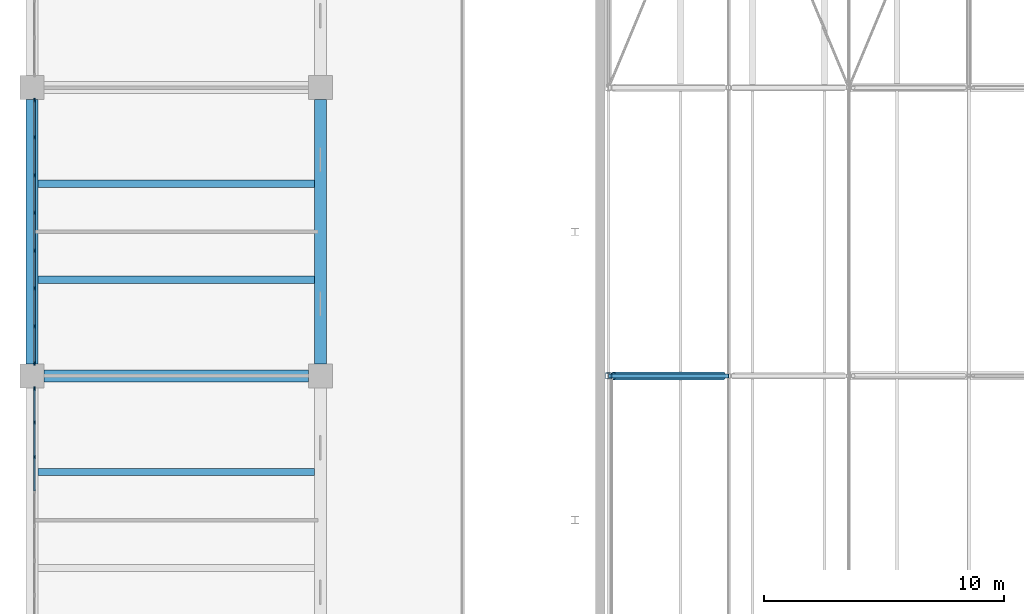
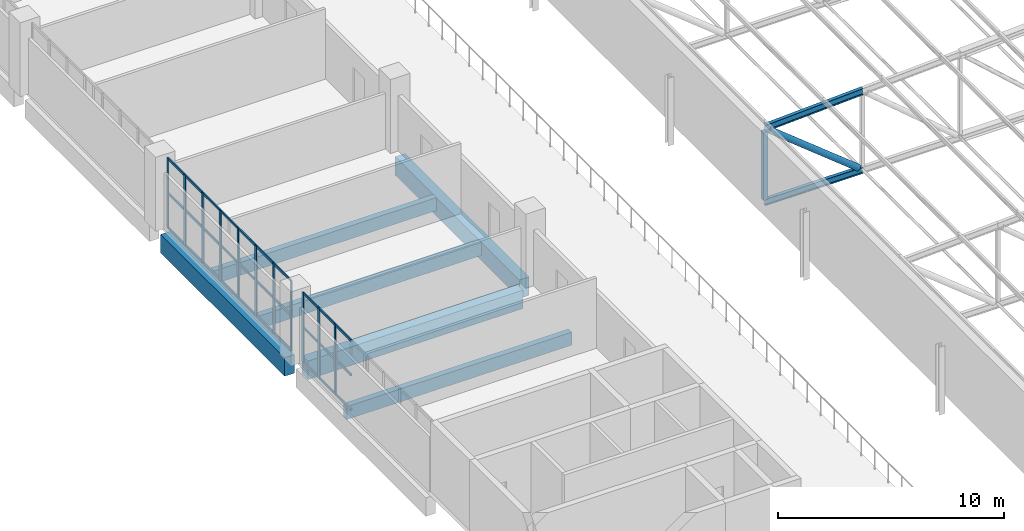
# One storey, part 52 of 156: 45 members, 6 beams, 2 elements without a shape of their own.
"""IFC4 building model written with IfcOpenShell, lengths in metres."""

from ifc_helpers import new_model, si_unit, direction, frame, origin, origin_2d, place, context, subcontext, project, spatial, rectangle, hollow_rectangle, hollow_circle, i_section, extrude, material, layer, layer_set, material_profile, profile_set, type_object, element, aggregate, save


model = new_model("IFC4")

# Units and contexts
model_context = context("Model", 3, precision=1e-05, world=origin(), true_north=direction((0.0, 1.0)))
body_context = subcontext(model_context, "Body", "Model", "MODEL_VIEW")
ifc_project = project(units=[si_unit("LENGTHUNIT", "METRE"), si_unit("AREAUNIT", "SQUARE_METRE"), si_unit("VOLUMEUNIT", "CUBIC_METRE"), si_unit("PLANEANGLEUNIT", "RADIAN"), si_unit("MASSUNIT", "GRAM", prefix="KILO")], contexts=[model_context])

# Site, building, storey
site_placement = place(None, origin())
site = spatial("IfcSite", under=ifc_project, at=site_placement, CompositionType="ELEMENT")
building_placement = place(site_placement, origin())
building = spatial("IfcBuilding", under=site, at=building_placement, Name="Lilac Gate Convention Centre", CompositionType="ELEMENT")
storey_placement = place(building_placement, frame((0.0, 0.0, 17.0)))
storey = spatial("IfcBuildingStorey", under=building, at=storey_placement, Name="L03", CompositionType="ELEMENT", Elevation=17.0)

# Curtain wall, members
ifc_material_1 = material(Name="Aluminium framed double glazing", Category="aluminium")
ifc_layer = layer(ifc_material_1, 0.199951171875)
ifc_layer_set = layer_set([ifc_layer], Name="Aluminium framed double glazing")
curtain_wall_type = type_object("IfcCurtainWallType", Name="Unitised curtain wall 1500", PredefinedType="NOTDEFINED", material=ifc_layer_set)
curtain_wall_1_placement = place(storey_placement, origin())
curtain_wall_1 = element("IfcCurtainWall", 1, at=curtain_wall_1_placement, inside=storey, type_object=curtain_wall_type, Name="Curtain wall PW L03 7", PredefinedType="NOTDEFINED")
ifc_material_2 = material(Name="Aluminium alloy 6063", Category="aluminium")
ifc_material_profile_1 = material_profile(ifc_material_2, rectangle(XDim=0.06005859375, YDim=0.159912109375, at=origin_2d()), Name="Curtain wall mullion 60 x 160")
ifc_profile_set_1 = profile_set([ifc_material_profile_1], Name="Aluminium alloy 6063")
member_type_1 = type_object("IfcMemberType", Name="Curtain wall mullion 60 x 160", PredefinedType="MULLION", material=ifc_profile_set_1)
member_1_placement = place(storey_placement, frame((6.10009765625, 125.469970703125, 0.0), z_axis=(0.0, 0.0, 1.0), x_axis=(1.0, 0.0, 0.0)))
member_1 = element("IfcMember", 2, at=member_1_placement, type_object=member_type_1, Name="CW mullion 1", PredefinedType="MULLION", context=body_context, shape_type="SweptSolid", body=[
    extrude(rectangle(XDim=0.06005859375, YDim=0.159912109375, at=origin_2d()), origin(), (0.0, 0.0, 1.0), 3.800048828125),
])
member_2_placement = place(storey_placement, frame((6.10009765625, 123.928466796875, 0.0), z_axis=(0.0, 0.0, 1.0), x_axis=(1.0, 0.0, 0.0)))
member_2 = element("IfcMember", 3, at=member_2_placement, type_object=member_type_1, Name="CW mullion 2", PredefinedType="MULLION", context=body_context, shape_type="SweptSolid", body=[
    extrude(rectangle(XDim=0.06005859375, YDim=0.159912109375, at=origin_2d()), origin(), (0.0, 0.0, 1.0), 3.800048828125),
])
member_3_placement = place(storey_placement, frame((6.10009765625, 122.357177734375, 0.0), z_axis=(0.0, 0.0, 1.0), x_axis=(1.0, 0.0, 0.0)))
member_3 = element("IfcMember", 4, at=member_3_placement, type_object=member_type_1, Name="CW mullion 3", PredefinedType="MULLION", context=body_context, shape_type="SweptSolid", body=[
    extrude(rectangle(XDim=0.06005859375, YDim=0.159912109375, at=origin_2d()), origin(), (0.0, 0.0, 1.0), 3.800048828125),
])
member_4_placement = place(storey_placement, frame((6.10009765625, 120.78564453125, 0.0), z_axis=(0.0, 0.0, 1.0), x_axis=(1.0, 0.0, 0.0)))
member_4 = element("IfcMember", 5, at=member_4_placement, type_object=member_type_1, Name="CW mullion 4", PredefinedType="MULLION", context=body_context, shape_type="SweptSolid", body=[
    extrude(rectangle(XDim=0.06005859375, YDim=0.159912109375, at=origin_2d()), origin(), (0.0, 0.0, 1.0), 3.800048828125),
])
member_5_placement = place(storey_placement, frame((6.10009765625, 119.21435546875, 0.0), z_axis=(0.0, 0.0, 1.0), x_axis=(1.0, 0.0, 0.0)))
member_5 = element("IfcMember", 6, at=member_5_placement, type_object=member_type_1, Name="CW mullion 5", PredefinedType="MULLION", context=body_context, shape_type="SweptSolid", body=[
    extrude(rectangle(XDim=0.06005859375, YDim=0.159912109375, at=origin_2d()), origin(), (0.0, 0.0, 1.0), 3.800048828125),
])
member_6_placement = place(storey_placement, frame((6.10009765625, 117.642822265625, 0.0), z_axis=(0.0, 0.0, 1.0), x_axis=(1.0, 0.0, 0.0)))
member_6 = element("IfcMember", 7, at=member_6_placement, type_object=member_type_1, Name="CW mullion 6", PredefinedType="MULLION", context=body_context, shape_type="SweptSolid", body=[
    extrude(rectangle(XDim=0.06005859375, YDim=0.159912109375, at=origin_2d()), origin(), (0.0, 0.0, 1.0), 3.800048828125),
])
member_7_placement = place(storey_placement, frame((6.10009765625, 116.071533203125, 0.0), z_axis=(0.0, 0.0, 1.0), x_axis=(1.0, 0.0, 0.0)))
member_7 = element("IfcMember", 8, at=member_7_placement, type_object=member_type_1, Name="CW mullion 7", PredefinedType="MULLION", context=body_context, shape_type="SweptSolid", body=[
    extrude(rectangle(XDim=0.06005859375, YDim=0.159912109375, at=origin_2d()), origin(), (0.0, 0.0, 1.0), 3.800048828125),
])
member_8_placement = place(storey_placement, frame((6.10009765625, 114.530029296875, 0.0), z_axis=(0.0, 0.0, 1.0), x_axis=(1.0, 0.0, 0.0)))
member_8 = element("IfcMember", 9, at=member_8_placement, type_object=member_type_1, Name="CW mullion 8", PredefinedType="MULLION", context=body_context, shape_type="SweptSolid", body=[
    extrude(rectangle(XDim=0.06005859375, YDim=0.159912109375, at=origin_2d()), origin(), (0.0, 0.0, 1.0), 3.800048828125),
])

curtain_wall_2_placement = place(storey_placement, origin())
curtain_wall_2 = element("IfcCurtainWall", 10, at=curtain_wall_2_placement, inside=storey, type_object=curtain_wall_type, Name="Curtain wall PW L03 8", PredefinedType="NOTDEFINED")
member_9_placement = place(storey_placement, frame((6.10009765625, 113.469970703125, 0.0), z_axis=(0.0, 0.0, 1.0), x_axis=(1.0, 0.0, 0.0)))
member_9 = element("IfcMember", 11, at=member_9_placement, type_object=member_type_1, Name="CW mullion 1", PredefinedType="MULLION", context=body_context, shape_type="SweptSolid", body=[
    extrude(rectangle(XDim=0.06005859375, YDim=0.159912109375, at=origin_2d()), origin(), (0.0, 0.0, 1.0), 3.800048828125),
])
member_10_placement = place(storey_placement, frame((6.10009765625, 112.0625, 0.0), z_axis=(0.0, 0.0, 1.0), x_axis=(1.0, 0.0, 0.0)))
member_10 = element("IfcMember", 12, at=member_10_placement, type_object=member_type_1, Name="CW mullion 2", PredefinedType="MULLION", context=body_context, shape_type="SweptSolid", body=[
    extrude(rectangle(XDim=0.06005859375, YDim=0.159912109375, at=origin_2d()), origin(), (0.0, 0.0, 1.0), 3.800048828125),
])
member_11_placement = place(storey_placement, frame((6.10009765625, 110.625, 0.0), z_axis=(0.0, 0.0, 1.0), x_axis=(1.0, 0.0, 0.0)))
member_11 = element("IfcMember", 13, at=member_11_placement, type_object=member_type_1, Name="CW mullion 3", PredefinedType="MULLION", context=body_context, shape_type="SweptSolid", body=[
    extrude(rectangle(XDim=0.06005859375, YDim=0.159912109375, at=origin_2d()), origin(), (0.0, 0.0, 1.0), 3.800048828125),
])

# Member
ifc_material_profile_2 = material_profile(ifc_material_2, rectangle(XDim=0.06005859375, YDim=0.1201171875, at=origin_2d()), Name="Curtain wall transom 60 x 120")
ifc_profile_set_2 = profile_set([ifc_material_profile_2], Name="Aluminium alloy 6063")
member_type_2 = type_object("IfcMemberType", Name="Curtain wall transom 60 x 120", PredefinedType="USERDEFINED", material=ifc_profile_set_2)
member_12_placement = place(storey_placement, frame((6.10009765625, 125.43994140625, 0.030029296875), z_axis=(0.0, -1.0, 0.0), x_axis=(1.0, 0.0, 0.0)))
member_12 = element("IfcMember", 14, at=member_12_placement, type_object=member_type_2, Name="CW transom 1.1", ObjectType="TRANSOM", PredefinedType="USERDEFINED", context=body_context, shape_type="SweptSolid", body=[
    extrude(rectangle(XDim=0.06005859375, YDim=0.1201171875, at=origin_2d()), origin(), (0.0, 0.0, 1.0), 1.4814453125),
])

member_13_placement = place(storey_placement, frame((6.10009765625, 125.43994140625, 1.89990234375), z_axis=(0.0, -1.0, 0.0), x_axis=(1.0, 0.0, 0.0)))
member_13 = element("IfcMember", 15, at=member_13_placement, type_object=member_type_2, Name="CW transom 1.2", ObjectType="TRANSOM", PredefinedType="USERDEFINED", context=body_context, shape_type="SweptSolid", body=[
    extrude(rectangle(XDim=0.06005859375, YDim=0.1201171875, at=origin_2d()), origin(), (0.0, 0.0, 1.0), 1.4814453125),
])

member_14_placement = place(storey_placement, frame((6.10009765625, 125.43994140625, 3.77001953125), z_axis=(0.0, -1.0, 0.0), x_axis=(1.0, 0.0, 0.0)))
member_14 = element("IfcMember", 16, at=member_14_placement, type_object=member_type_2, Name="CW transom 1.3", ObjectType="TRANSOM", PredefinedType="USERDEFINED", context=body_context, shape_type="SweptSolid", body=[
    extrude(rectangle(XDim=0.06005859375, YDim=0.1201171875, at=origin_2d()), origin(), (0.0, 0.0, 1.0), 1.4814453125),
])

member_15_placement = place(storey_placement, frame((6.10009765625, 123.898681640625, 0.030029296875), z_axis=(0.0, -1.0, 0.0), x_axis=(1.0, 0.0, 0.0)))
member_15 = element("IfcMember", 17, at=member_15_placement, type_object=member_type_2, Name="CW transom 2.1", ObjectType="TRANSOM", PredefinedType="USERDEFINED", context=body_context, shape_type="SweptSolid", body=[
    extrude(rectangle(XDim=0.06005859375, YDim=0.1201171875, at=origin_2d()), origin(), (0.0, 0.0, 1.0), 1.511474609375),
])

member_16_placement = place(storey_placement, frame((6.10009765625, 123.898681640625, 1.89990234375), z_axis=(0.0, -1.0, 0.0), x_axis=(1.0, 0.0, 0.0)))
member_16 = element("IfcMember", 18, at=member_16_placement, type_object=member_type_2, Name="CW transom 2.2", ObjectType="TRANSOM", PredefinedType="USERDEFINED", context=body_context, shape_type="SweptSolid", body=[
    extrude(rectangle(XDim=0.06005859375, YDim=0.1201171875, at=origin_2d()), origin(), (0.0, 0.0, 1.0), 1.511474609375),
])

member_17_placement = place(storey_placement, frame((6.10009765625, 123.898681640625, 3.77001953125), z_axis=(0.0, -1.0, 0.0), x_axis=(1.0, 0.0, 0.0)))
member_17 = element("IfcMember", 19, at=member_17_placement, type_object=member_type_2, Name="CW transom 2.3", ObjectType="TRANSOM", PredefinedType="USERDEFINED", context=body_context, shape_type="SweptSolid", body=[
    extrude(rectangle(XDim=0.06005859375, YDim=0.1201171875, at=origin_2d()), origin(), (0.0, 0.0, 1.0), 1.511474609375),
])

member_18_placement = place(storey_placement, frame((6.10009765625, 122.3271484375, 0.030029296875), z_axis=(0.0, -1.0, 0.0), x_axis=(1.0, 0.0, 0.0)))
member_18 = element("IfcMember", 20, at=member_18_placement, type_object=member_type_2, Name="CW transom 3.1", ObjectType="TRANSOM", PredefinedType="USERDEFINED", context=body_context, shape_type="SweptSolid", body=[
    extrude(rectangle(XDim=0.06005859375, YDim=0.1201171875, at=origin_2d()), origin(), (0.0, 0.0, 1.0), 1.511474609375),
])

member_19_placement = place(storey_placement, frame((6.10009765625, 122.3271484375, 1.89990234375), z_axis=(0.0, -1.0, 0.0), x_axis=(1.0, 0.0, 0.0)))
member_19 = element("IfcMember", 21, at=member_19_placement, type_object=member_type_2, Name="CW transom 3.2", ObjectType="TRANSOM", PredefinedType="USERDEFINED", context=body_context, shape_type="SweptSolid", body=[
    extrude(rectangle(XDim=0.06005859375, YDim=0.1201171875, at=origin_2d()), origin(), (0.0, 0.0, 1.0), 1.511474609375),
])

member_20_placement = place(storey_placement, frame((6.10009765625, 122.3271484375, 3.77001953125), z_axis=(0.0, -1.0, 0.0), x_axis=(1.0, 0.0, 0.0)))
member_20 = element("IfcMember", 22, at=member_20_placement, type_object=member_type_2, Name="CW transom 3.3", ObjectType="TRANSOM", PredefinedType="USERDEFINED", context=body_context, shape_type="SweptSolid", body=[
    extrude(rectangle(XDim=0.06005859375, YDim=0.1201171875, at=origin_2d()), origin(), (0.0, 0.0, 1.0), 1.511474609375),
])

member_21_placement = place(storey_placement, frame((6.10009765625, 120.755615234375, 0.030029296875), z_axis=(0.0, -1.0, 0.0), x_axis=(1.0, 0.0, 0.0)))
member_21 = element("IfcMember", 23, at=member_21_placement, type_object=member_type_2, Name="CW transom 4.1", ObjectType="TRANSOM", PredefinedType="USERDEFINED", context=body_context, shape_type="SweptSolid", body=[
    extrude(rectangle(XDim=0.06005859375, YDim=0.1201171875, at=origin_2d()), origin(), (0.0, 0.0, 1.0), 1.51123046875),
])

member_22_placement = place(storey_placement, frame((6.10009765625, 120.755615234375, 1.89990234375), z_axis=(0.0, -1.0, 0.0), x_axis=(1.0, 0.0, 0.0)))
member_22 = element("IfcMember", 24, at=member_22_placement, type_object=member_type_2, Name="CW transom 4.2", ObjectType="TRANSOM", PredefinedType="USERDEFINED", context=body_context, shape_type="SweptSolid", body=[
    extrude(rectangle(XDim=0.06005859375, YDim=0.1201171875, at=origin_2d()), origin(), (0.0, 0.0, 1.0), 1.51123046875),
])

member_23_placement = place(storey_placement, frame((6.10009765625, 120.755615234375, 3.77001953125), z_axis=(0.0, -1.0, 0.0), x_axis=(1.0, 0.0, 0.0)))
member_23 = element("IfcMember", 25, at=member_23_placement, type_object=member_type_2, Name="CW transom 4.3", ObjectType="TRANSOM", PredefinedType="USERDEFINED", context=body_context, shape_type="SweptSolid", body=[
    extrude(rectangle(XDim=0.06005859375, YDim=0.1201171875, at=origin_2d()), origin(), (0.0, 0.0, 1.0), 1.51123046875),
])

member_24_placement = place(storey_placement, frame((6.10009765625, 119.184326171875, 0.030029296875), z_axis=(0.0, -1.0, 0.0), x_axis=(1.0, 0.0, 0.0)))
member_24 = element("IfcMember", 26, at=member_24_placement, type_object=member_type_2, Name="CW transom 5.1", ObjectType="TRANSOM", PredefinedType="USERDEFINED", context=body_context, shape_type="SweptSolid", body=[
    extrude(rectangle(XDim=0.06005859375, YDim=0.1201171875, at=origin_2d()), origin(), (0.0, 0.0, 1.0), 1.511474609375),
])

member_25_placement = place(storey_placement, frame((6.10009765625, 119.184326171875, 1.89990234375), z_axis=(0.0, -1.0, 0.0), x_axis=(1.0, 0.0, 0.0)))
member_25 = element("IfcMember", 27, at=member_25_placement, type_object=member_type_2, Name="CW transom 5.2", ObjectType="TRANSOM", PredefinedType="USERDEFINED", context=body_context, shape_type="SweptSolid", body=[
    extrude(rectangle(XDim=0.06005859375, YDim=0.1201171875, at=origin_2d()), origin(), (0.0, 0.0, 1.0), 1.511474609375),
])

member_26_placement = place(storey_placement, frame((6.10009765625, 119.184326171875, 3.77001953125), z_axis=(0.0, -1.0, 0.0), x_axis=(1.0, 0.0, 0.0)))
member_26 = element("IfcMember", 28, at=member_26_placement, type_object=member_type_2, Name="CW transom 5.3", ObjectType="TRANSOM", PredefinedType="USERDEFINED", context=body_context, shape_type="SweptSolid", body=[
    extrude(rectangle(XDim=0.06005859375, YDim=0.1201171875, at=origin_2d()), origin(), (0.0, 0.0, 1.0), 1.511474609375),
])

member_27_placement = place(storey_placement, frame((6.10009765625, 117.61279296875, 0.030029296875), z_axis=(0.0, -1.0, 0.0), x_axis=(1.0, 0.0, 0.0)))
member_27 = element("IfcMember", 29, at=member_27_placement, type_object=member_type_2, Name="CW transom 6.1", ObjectType="TRANSOM", PredefinedType="USERDEFINED", context=body_context, shape_type="SweptSolid", body=[
    extrude(rectangle(XDim=0.06005859375, YDim=0.1201171875, at=origin_2d()), origin(), (0.0, 0.0, 1.0), 1.511474609375),
])

member_28_placement = place(storey_placement, frame((6.10009765625, 117.61279296875, 1.89990234375), z_axis=(0.0, -1.0, 0.0), x_axis=(1.0, 0.0, 0.0)))
member_28 = element("IfcMember", 30, at=member_28_placement, type_object=member_type_2, Name="CW transom 6.2", ObjectType="TRANSOM", PredefinedType="USERDEFINED", context=body_context, shape_type="SweptSolid", body=[
    extrude(rectangle(XDim=0.06005859375, YDim=0.1201171875, at=origin_2d()), origin(), (0.0, 0.0, 1.0), 1.511474609375),
])

member_29_placement = place(storey_placement, frame((6.10009765625, 117.61279296875, 3.77001953125), z_axis=(0.0, -1.0, 0.0), x_axis=(1.0, 0.0, 0.0)))
member_29 = element("IfcMember", 31, at=member_29_placement, type_object=member_type_2, Name="CW transom 6.3", ObjectType="TRANSOM", PredefinedType="USERDEFINED", context=body_context, shape_type="SweptSolid", body=[
    extrude(rectangle(XDim=0.06005859375, YDim=0.1201171875, at=origin_2d()), origin(), (0.0, 0.0, 1.0), 1.511474609375),
])

member_30_placement = place(storey_placement, frame((6.10009765625, 116.04150390625, 0.030029296875), z_axis=(0.0, -1.0, 0.0), x_axis=(1.0, 0.0, 0.0)))
member_30 = element("IfcMember", 32, at=member_30_placement, type_object=member_type_2, Name="CW transom 7.1", ObjectType="TRANSOM", PredefinedType="USERDEFINED", context=body_context, shape_type="SweptSolid", body=[
    extrude(rectangle(XDim=0.06005859375, YDim=0.1201171875, at=origin_2d()), origin(), (0.0, 0.0, 1.0), 1.4814453125),
])

member_31_placement = place(storey_placement, frame((6.10009765625, 116.04150390625, 1.89990234375), z_axis=(0.0, -1.0, 0.0), x_axis=(1.0, 0.0, 0.0)))
member_31 = element("IfcMember", 33, at=member_31_placement, type_object=member_type_2, Name="CW transom 7.2", ObjectType="TRANSOM", PredefinedType="USERDEFINED", context=body_context, shape_type="SweptSolid", body=[
    extrude(rectangle(XDim=0.06005859375, YDim=0.1201171875, at=origin_2d()), origin(), (0.0, 0.0, 1.0), 1.4814453125),
])

member_32_placement = place(storey_placement, frame((6.10009765625, 116.04150390625, 3.77001953125), z_axis=(0.0, -1.0, 0.0), x_axis=(1.0, 0.0, 0.0)))
member_32 = element("IfcMember", 34, at=member_32_placement, type_object=member_type_2, Name="CW transom 7.3", ObjectType="TRANSOM", PredefinedType="USERDEFINED", context=body_context, shape_type="SweptSolid", body=[
    extrude(rectangle(XDim=0.06005859375, YDim=0.1201171875, at=origin_2d()), origin(), (0.0, 0.0, 1.0), 1.4814453125),
])

aggregate(curtain_wall_1, [member_1, member_2, member_3, member_4, member_5, member_6, member_7, member_8, member_12, member_13, member_14, member_15, member_16, member_17, member_18, member_19, member_20, member_21, member_22, member_23, member_24, member_25, member_26, member_27, member_28, member_29, member_30, member_31, member_32])

member_33_placement = place(storey_placement, frame((6.10009765625, 113.43994140625, 0.030029296875), z_axis=(0.0, -1.0, 0.0), x_axis=(1.0, 0.0, 0.0)))
member_33 = element("IfcMember", 35, at=member_33_placement, type_object=member_type_2, Name="CW transom 1.1", ObjectType="TRANSOM", PredefinedType="USERDEFINED", context=body_context, shape_type="SweptSolid", body=[
    extrude(rectangle(XDim=0.06005859375, YDim=0.1201171875, at=origin_2d()), origin(), (0.0, 0.0, 1.0), 1.347412109375),
])

member_34_placement = place(storey_placement, frame((6.10009765625, 113.43994140625, 1.89990234375), z_axis=(0.0, -1.0, 0.0), x_axis=(1.0, 0.0, 0.0)))
member_34 = element("IfcMember", 36, at=member_34_placement, type_object=member_type_2, Name="CW transom 1.2", ObjectType="TRANSOM", PredefinedType="USERDEFINED", context=body_context, shape_type="SweptSolid", body=[
    extrude(rectangle(XDim=0.06005859375, YDim=0.1201171875, at=origin_2d()), origin(), (0.0, 0.0, 1.0), 1.347412109375),
])

member_35_placement = place(storey_placement, frame((6.10009765625, 113.43994140625, 3.77001953125), z_axis=(0.0, -1.0, 0.0), x_axis=(1.0, 0.0, 0.0)))
member_35 = element("IfcMember", 37, at=member_35_placement, type_object=member_type_2, Name="CW transom 1.3", ObjectType="TRANSOM", PredefinedType="USERDEFINED", context=body_context, shape_type="SweptSolid", body=[
    extrude(rectangle(XDim=0.06005859375, YDim=0.1201171875, at=origin_2d()), origin(), (0.0, 0.0, 1.0), 1.347412109375),
])

member_36_placement = place(storey_placement, frame((6.10009765625, 112.032470703125, 0.030029296875), z_axis=(0.0, -1.0, 0.0), x_axis=(1.0, 0.0, 0.0)))
member_36 = element("IfcMember", 38, at=member_36_placement, type_object=member_type_2, Name="CW transom 2.1", ObjectType="TRANSOM", PredefinedType="USERDEFINED", context=body_context, shape_type="SweptSolid", body=[
    extrude(rectangle(XDim=0.06005859375, YDim=0.1201171875, at=origin_2d()), origin(), (0.0, 0.0, 1.0), 1.37744140625),
])

member_37_placement = place(storey_placement, frame((6.10009765625, 112.032470703125, 1.89990234375), z_axis=(0.0, -1.0, 0.0), x_axis=(1.0, 0.0, 0.0)))
member_37 = element("IfcMember", 39, at=member_37_placement, type_object=member_type_2, Name="CW transom 2.2", ObjectType="TRANSOM", PredefinedType="USERDEFINED", context=body_context, shape_type="SweptSolid", body=[
    extrude(rectangle(XDim=0.06005859375, YDim=0.1201171875, at=origin_2d()), origin(), (0.0, 0.0, 1.0), 1.37744140625),
])

member_38_placement = place(storey_placement, frame((6.10009765625, 112.032470703125, 3.77001953125), z_axis=(0.0, -1.0, 0.0), x_axis=(1.0, 0.0, 0.0)))
member_38 = element("IfcMember", 40, at=member_38_placement, type_object=member_type_2, Name="CW transom 2.3", ObjectType="TRANSOM", PredefinedType="USERDEFINED", context=body_context, shape_type="SweptSolid", body=[
    extrude(rectangle(XDim=0.06005859375, YDim=0.1201171875, at=origin_2d()), origin(), (0.0, 0.0, 1.0), 1.37744140625),
])

member_39_placement = place(storey_placement, frame((6.10009765625, 110.594970703125, 0.030029296875), z_axis=(0.0, -1.0, 0.0), x_axis=(1.0, 0.0, 0.0)))
member_39 = element("IfcMember", 41, at=member_39_placement, type_object=member_type_2, Name="CW transom 3.1", ObjectType="TRANSOM", PredefinedType="USERDEFINED", context=body_context, shape_type="SweptSolid", body=[
    extrude(rectangle(XDim=0.06005859375, YDim=0.1201171875, at=origin_2d()), origin(), (0.0, 0.0, 1.0), 1.37744140625),
])

member_40_placement = place(storey_placement, frame((6.10009765625, 110.594970703125, 1.89990234375), z_axis=(0.0, -1.0, 0.0), x_axis=(1.0, 0.0, 0.0)))
member_40 = element("IfcMember", 42, at=member_40_placement, type_object=member_type_2, Name="CW transom 3.2", ObjectType="TRANSOM", PredefinedType="USERDEFINED", context=body_context, shape_type="SweptSolid", body=[
    extrude(rectangle(XDim=0.06005859375, YDim=0.1201171875, at=origin_2d()), origin(), (0.0, 0.0, 1.0), 1.37744140625),
])

member_41_placement = place(storey_placement, frame((6.10009765625, 110.594970703125, 3.77001953125), z_axis=(0.0, -1.0, 0.0), x_axis=(1.0, 0.0, 0.0)))
member_41 = element("IfcMember", 43, at=member_41_placement, type_object=member_type_2, Name="CW transom 3.3", ObjectType="TRANSOM", PredefinedType="USERDEFINED", context=body_context, shape_type="SweptSolid", body=[
    extrude(rectangle(XDim=0.06005859375, YDim=0.1201171875, at=origin_2d()), origin(), (0.0, 0.0, 1.0), 1.37744140625),
])

aggregate(curtain_wall_2, [member_9, member_10, member_11, member_33, member_34, member_35, member_36, member_37, member_38, member_39, member_40, member_41])

# Beams
ifc_material_3 = material(Name="Concrete C40", Category="concrete")
ifc_material_profile_3 = material_profile(ifc_material_3, rectangle(XDim=0.5, YDim=1.0, at=origin_2d()), Name="RC 500x1000")
ifc_profile_set_3 = profile_set([ifc_material_profile_3], Name="Concrete C40")
beam_type_1 = type_object("IfcBeamType", Name="Primary beam 500x1000 C40", PredefinedType="BEAM", material=ifc_profile_set_3)
for number, where, z_axis, x_axis, name in (
    (44, (6.5, 114.0, -0.75), (1.0, 0.0, 0.0), (0.0, 1.0, 0.0), "RB1 L03 1/H-2/H"),
    (45, (6.0, 114.5, -0.75), (0.0, 1.0, 0.0), (-1.0, 0.0, 0.0), "RB1 L03 1/H-1/J"),
    (46, (18.0, 114.5, -0.75), (0.0, 1.0, 0.0), (-1.0, 0.0, 0.0), "RB1 L03 2/H-2/J"),
):
    element("IfcBeam", number, at=place(storey_placement, frame(where, z_axis=z_axis, x_axis=x_axis)), inside=storey, type_object=beam_type_1, Name=name, PredefinedType="BEAM", context=body_context, shape_type="SweptSolid", body=[
        extrude(rectangle(XDim=0.5, YDim=1.0, at=origin_2d()), origin(), (0.0, 0.0, 1.0), 11.0),
    ])
ifc_material_profile_4 = material_profile(ifc_material_3, rectangle(XDim=0.300048828125, YDim=0.699951171875, at=origin_2d()), Name="RC 300x700")
ifc_profile_set_4 = profile_set([ifc_material_profile_4], Name="Concrete C40")
beam_type_2 = type_object("IfcBeamType", Name="Secondary beam 300x700 C40", PredefinedType="BEAM", material=ifc_profile_set_4)
for number, where, z_axis, x_axis, name in (
    (47, (6.25, 110.0, -0.60009765625), (1.0, 0.0, 0.0), (0.0, 1.0, 0.0), "RB2 L03 bay 1/G"),
    (48, (6.25, 118.0, -0.60009765625), (1.0, 0.0, 0.0), (0.0, 1.0, 0.0), "RB2 L03 bay 1/H"),
    (49, (6.25, 122.0, -0.60009765625), (1.0, 0.0, 0.0), (0.0, 1.0, 0.0), "RB2 L03 bay 1/H"),
):
    element("IfcBeam", number, at=place(storey_placement, frame(where, z_axis=z_axis, x_axis=x_axis)), inside=storey, type_object=beam_type_2, Name=name, PredefinedType="BEAM", context=body_context, shape_type="SweptSolid", body=[
        extrude(rectangle(XDim=0.300048828125, YDim=0.699951171875, at=origin_2d()), origin(), (0.0, 0.0, 1.0), 11.5),
    ])

# Members
ifc_material_4 = material(Name="Steel Q355B", Category="steel")
ifc_material_profile_5 = material_profile(ifc_material_4, i_section(OverallWidth=0.175048828125, OverallDepth=0.35009765625, WebThickness=0.007080078125, FlangeThickness=0.010986328125, FilletRadius=0.012939453125, at=origin_2d()), Name="HN350x175x7x11")
ifc_profile_set_5 = profile_set([ifc_material_profile_5], Name="Steel Q355B")
member_type_3 = type_object("IfcMemberType", Name="Truss bottom chord HN350x175x7x11", PredefinedType="CHORD", material=ifc_profile_set_5)
member_42_placement = place(storey_placement, frame((30.0, 114.0, 0.0), z_axis=(1.0, 0.0, 0.0), x_axis=(0.0, 1.0, 0.0)))
element("IfcMember", 50, at=member_42_placement, inside=storey, type_object=member_type_3, Name="TB1 truss 8 bottom chord 1", PredefinedType="CHORD", context=body_context, shape_type="SweptSolid", body=[
    extrude(i_section(OverallWidth=0.175048828125, OverallDepth=0.35009765625, WebThickness=0.007080078125, FlangeThickness=0.010986328125, FilletRadius=0.012939453125, at=origin_2d()), origin(), (0.0, 0.0, 1.0), 5.0),
])
ifc_material_profile_6 = material_profile(ifc_material_4, hollow_circle(Radius=0.161865234375, WallThickness=0.011962890625, at=origin_2d()), Name="CHS323.9x12")
ifc_profile_set_6 = profile_set([ifc_material_profile_6], Name="Steel Q355B")
member_type_4 = type_object("IfcMemberType", Name="Truss diagonal CHS323.9x12", PredefinedType="BRACE", material=ifc_profile_set_6)
member_43_placement = place(storey_placement, frame((30.205322265625, 114.0, 3.835693359375), z_axis=(0.780876938611, 0.0, -0.624684885959), x_axis=(0.0, 1.0, 0.0)))
element("IfcMember", 51, at=member_43_placement, inside=storey, type_object=member_type_4, Name="TW1 truss 8 diagonal 1", PredefinedType="BRACE", context=body_context, shape_type="SweptSolid", body=[
    extrude(hollow_circle(Radius=0.161865234375, WallThickness=0.011962890625, at=origin_2d()), origin(), (0.0, 0.0, 1.0), 5.860107421875),
])
ifc_material_profile_7 = material_profile(ifc_material_4, i_section(OverallWidth=0.175048828125, OverallDepth=0.35009765625, WebThickness=0.007080078125, FlangeThickness=0.010986328125, FilletRadius=0.012939453125, at=origin_2d()), Name="HN350x175x7x11")
ifc_profile_set_7 = profile_set([ifc_material_profile_7], Name="Steel Q355B")
member_type_5 = type_object("IfcMemberType", Name="Truss top chord HN350x175x7x11", PredefinedType="CHORD", material=ifc_profile_set_7)
member_44_placement = place(storey_placement, frame((30.0, 114.0, 4.0), z_axis=(0.998752338878, 0.0, 0.049937616944), x_axis=(0.0, 1.0, 0.0)))
element("IfcMember", 52, at=member_44_placement, inside=storey, type_object=member_type_5, Name="TT1 truss 8 top chord 1", PredefinedType="CHORD", context=body_context, shape_type="SweptSolid", body=[
    extrude(i_section(OverallWidth=0.175048828125, OverallDepth=0.35009765625, WebThickness=0.007080078125, FlangeThickness=0.010986328125, FilletRadius=0.012939453125, at=origin_2d()), origin(), (0.0, 0.0, 1.0), 5.00634765625),
])
ifc_material_profile_8 = material_profile(ifc_material_4, hollow_rectangle(XDim=0.25, YDim=0.25, WallThickness=0.010009765625, InnerFilletRadius=0.014892578125, OuterFilletRadius=0.02490234375, at=origin_2d()), Name="SHS250x250x10")
ifc_profile_set_8 = profile_set([ifc_material_profile_8], Name="Steel Q355B")
member_type_6 = type_object("IfcMemberType", Name="Truss vertical SHS250x250x10", PredefinedType="STRUT", material=ifc_profile_set_8)
member_45_placement = place(storey_placement, frame((30.0, 114.0, 0.175048828125), z_axis=(0.0, 0.0, 1.0), x_axis=(1.0, 0.0, 0.0)))
element("IfcMember", 53, at=member_45_placement, inside=storey, type_object=member_type_6, Name="TV1 truss 8 vertical 1", PredefinedType="STRUT", context=body_context, shape_type="SweptSolid", body=[
    extrude(hollow_rectangle(XDim=0.25, YDim=0.25, WallThickness=0.010009765625, InnerFilletRadius=0.014892578125, OuterFilletRadius=0.02490234375, at=origin_2d()), origin(), (0.0, 0.0, 1.0), 3.649658203125),
])

save(model, "model.ifc")
